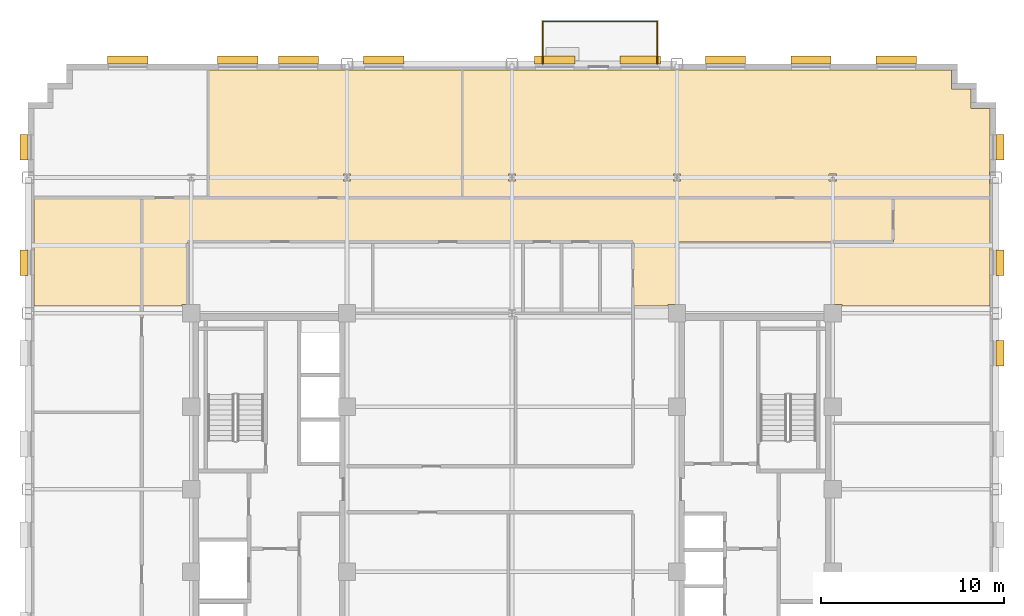
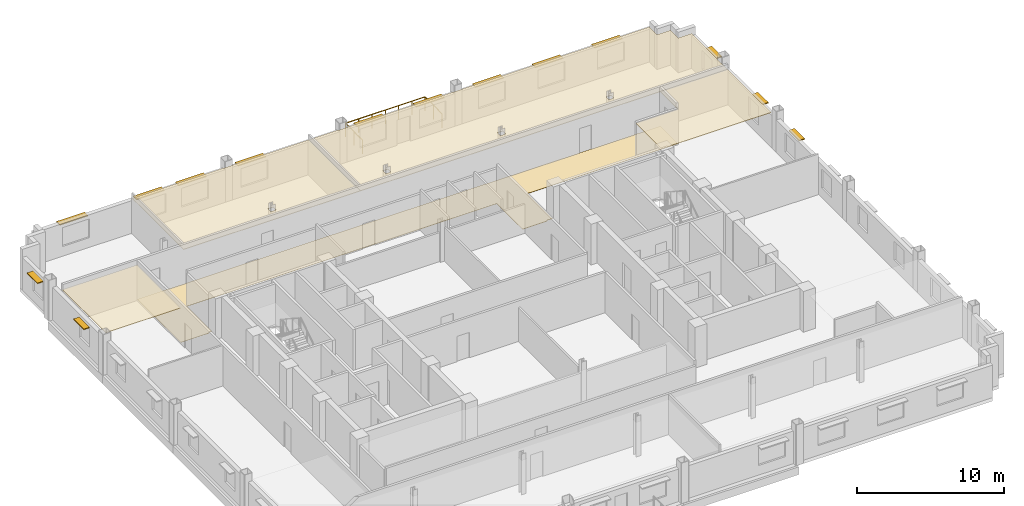
# One storey, part 14 of 14: 14 shading devices, 5 coverings, 1 railing.
"""IFC4 building model written with IfcOpenShell, lengths in metres."""

from ifc_helpers import new_model, si_unit, direction, frame, origin, origin_2d, place, context, subcontext, project, spatial, polyline, rectangle, circle, outline, extrude, source, transform, mapped, material, layer, layer_set, type_object, type_shapes, element, save


model = new_model("IFC4")

# Units and contexts
model_context = context("Model", 3, precision=1e-05, world=origin(), true_north=direction((0.0, 1.0)))
body_context = subcontext(model_context, "Body", "Model", "MODEL_VIEW")
ifc_project = project(units=[si_unit("LENGTHUNIT", "METRE"), si_unit("AREAUNIT", "SQUARE_METRE"), si_unit("VOLUMEUNIT", "CUBIC_METRE"), si_unit("PLANEANGLEUNIT", "RADIAN"), si_unit("MASSUNIT", "GRAM", prefix="KILO")], contexts=[model_context])

# Site, building, storey
site_placement = place(None, origin())
site = spatial("IfcSite", under=ifc_project, at=site_placement, CompositionType="ELEMENT")
building_placement = place(site_placement, origin())
building = spatial("IfcBuilding", under=site, at=building_placement, Name="Nuvemarco Arch Tower", CompositionType="ELEMENT")
storey_placement = place(building_placement, frame((0.0, 0.0, 138.449951171875)))
storey = spatial("IfcBuildingStorey", under=building, at=storey_placement, Name="L36", CompositionType="ELEMENT", Elevation=138.449951171875)

# Coverings
ifc_material_1 = material(Name="Mineral acoustic ceiling tile")
ifc_layer_1 = layer(ifc_material_1, 0.0400390625, Name="COV-ACOUSTIC-CLG")
ifc_layer_set_1 = layer_set([ifc_layer_1], Name="Mineral acoustic ceiling tile")
covering_type_1 = type_object("IfcCoveringType", Name="COV-ACOUSTIC-CLG", PredefinedType="CEILING", material=ifc_layer_set_1)
covering_1_placement = place(storey_placement, frame((0.0, 0.0, 2.85009765625)))
element("IfcCovering", 1, at=covering_1_placement, inside=storey, type_object=covering_type_1, Name="L36 suspended acoustic ceiling 2", PredefinedType="CEILING", context=body_context, shape_type="SweptSolid", body=[
    extrude(outline(polyline([(26.080078125, 20.780029296875), (26.080078125, 17.340087890625), (26.06005859375, 17.340087890625), (26.06005859375, 16.659912109375), (26.080078125, 16.659912109375), (26.080078125, 15.89990234375), (20.800048828125, 15.89990234375), (9.0, 15.89990234375), (6.60009765625, 15.89990234375), (-2.7099609375, 15.89990234375), (-2.7099609375, 22.8798828125), (-0.340087890625, 22.8798828125), (-0.340087890625, 22.860107421875), (0.340087890625, 22.860107421875), (0.340087890625, 22.8798828125), (8.659912109375, 22.8798828125), (8.659912109375, 22.860107421875), (9.340087890625, 22.860107421875), (9.340087890625, 22.8798828125), (23.97998046875, 22.8798828125), (23.97998046875, 21.830078125), (25.030029296875, 21.830078125), (25.030029296875, 20.780029296875), (26.080078125, 20.780029296875)]), holes=[polyline([(0.195068359375, 16.804931640625), (0.195068359375, 17.195068359375), (-0.195068359375, 17.195068359375), (-0.195068359375, 16.804931640625), (0.195068359375, 16.804931640625)]), polyline([(9.195068359375, 17.195068359375), (8.804931640625, 17.195068359375), (8.804931640625, 16.804931640625), (9.195068359375, 16.804931640625), (9.195068359375, 17.195068359375)]), polyline([(17.695068359375, 16.804931640625), (17.695068359375, 17.195068359375), (17.304931640625, 17.195068359375), (17.304931640625, 16.804931640625), (17.695068359375, 16.804931640625)])]), origin(), (0.0, 0.0, 1.0), 0.0400390625),
])
covering_2_placement = place(storey_placement, frame((0.0, 0.0, 2.85009765625)))
element("IfcCovering", 2, at=covering_2_placement, inside=storey, type_object=covering_type_1, Name="L36 suspended acoustic ceiling 6", PredefinedType="CEILING", context=body_context, shape_type="SweptSolid", body=[
    extrude(outline(polyline([(17.989990234375, 10.090087890625), (17.5, 10.090087890625), (17.5, 13.5), (20.800048828125, 13.5), (20.800048828125, 15.89990234375), (26.080078125, 15.89990234375), (26.080078125, 10.0), (17.989990234375, 10.0), (17.989990234375, 10.090087890625)])), origin(), (0.0, 0.0, 1.0), 0.0400390625),
])
covering_3_placement = place(storey_placement, frame((0.0, 0.0, 2.85009765625)))
element("IfcCovering", 3, at=covering_3_placement, inside=storey, type_object=covering_type_1, Name="L36 suspended acoustic ceiling 7", PredefinedType="CEILING", context=body_context, shape_type="SweptSolid", body=[
    extrude(outline(polyline([(-2.7099609375, 15.89990234375), (-16.570068359375, 15.89990234375), (-16.570068359375, 22.8798828125), (-9.340087890625, 22.8798828125), (-9.340087890625, 22.860107421875), (-8.659912109375, 22.860107421875), (-8.659912109375, 22.8798828125), (-2.7099609375, 22.8798828125), (-2.7099609375, 15.89990234375)]), holes=[polyline([(-8.804931640625, 16.804931640625), (-8.804931640625, 17.195068359375), (-9.195068359375, 17.195068359375), (-9.195068359375, 16.804931640625), (-8.804931640625, 16.804931640625)])]), origin(), (0.0, 0.0, 1.0), 0.0400390625),
])
covering_4_placement = place(storey_placement, frame((0.0, 0.0, 2.85009765625)))
element("IfcCovering", 4, at=covering_4_placement, inside=storey, type_object=covering_type_1, Name="L36 suspended acoustic ceiling 9", PredefinedType="CEILING", context=body_context, shape_type="SweptSolid", body=[
    extrude(outline(polyline([(-20.199951171875, 15.89990234375), (-20.199951171875, 13.5), (-20.199951171875, 10.0), (-26.080078125, 10.0), (-26.080078125, 15.89990234375), (-20.199951171875, 15.89990234375)])), origin(), (0.0, 0.0, 1.0), 0.0400390625),
])
ifc_material_2 = material(Name="Polished granite terrazzostone flooring", Category="masonry")
ifc_layer_2 = layer(ifc_material_2, 0.02001953125, Name="COV-LOBBY-FLR")
ifc_layer_set_2 = layer_set([ifc_layer_2], Name="Polished granite terrazzostone flooring")
covering_type_2 = type_object("IfcCoveringType", Name="COV-LOBBY-FLR", PredefinedType="FLOORING", material=ifc_layer_set_2)
covering_5_placement = place(storey_placement, origin())
element("IfcCovering", 5, at=covering_5_placement, inside=storey, type_object=covering_type_2, Name="L36 polished terrazzo lobby flooring", PredefinedType="FLOORING", context=body_context, shape_type="SweptSolid", body=[
    extrude(outline(polyline([(-20.199951171875, 13.5), (-20.199951171875, 15.89990234375), (-17.699951171875, 15.89990234375), (6.60009765625, 15.89990234375), (9.0, 15.89990234375), (20.800048828125, 15.89990234375), (20.800048828125, 13.5), (9.0, 13.5), (9.0, 10.090087890625), (8.510009765625, 10.090087890625), (8.510009765625, 10.0), (6.60009765625, 10.0), (6.60009765625, 13.5), (-17.699951171875, 13.5), (-17.699951171875, 10.090087890625), (-17.989990234375, 10.090087890625), (-17.989990234375, 10.0), (-20.199951171875, 10.0), (-20.199951171875, 13.5)])), origin(), (0.0, 0.0, 1.0), 0.02001953125),
])

# Railing
ifc_material_3 = material(Name="Dark anodised balustrade steel S355", Category="steel")
railing_type = type_object("IfcRailingType", Name="RL-TERR-GUARD", PredefinedType="BALUSTRADE", material=ifc_material_3)
railing_placement = place(storey_placement, frame((1.679931640625, 23.199951171875, 0.0)))
element("IfcRailing", 6, at=railing_placement, inside=storey, type_object=railing_type, Name="L36 spiral terrace perimeter balustrade guard", PredefinedType="BALUSTRADE", context=body_context, shape_type="SweptSolid", body=[
    extrude(circle(Radius=0.02392578125, at=origin_2d()), frame((0.0, 0.0, 1.1259765625), z_axis=(0.0, 1.0, 0.0), x_axis=(-1.0, 0.0, 0.0)), (0.0, 0.0, 1.0), 2.320068359375),
    extrude(circle(Radius=0.02392578125, at=origin_2d()), frame((0.0, 2.320068359375, 1.1259765625), z_axis=(1.0, 0.0, 0.0), x_axis=(0.0, 1.0, 0.0)), (0.0, 0.0, 1.0), 6.239990234375),
    extrude(circle(Radius=0.02392578125, at=origin_2d()), frame((6.239990234375, 2.320068359375, 1.1259765625), z_axis=(0.0, -1.0, 0.0), x_axis=(1.0, 0.0, 0.0)), (0.0, 0.0, 1.0), 2.320068359375),
    extrude(circle(Radius=0.02099609375, at=origin_2d()), origin(), (0.0, 0.0, 1.0), 1.101806640625),
    extrude(circle(Radius=0.02099609375, at=origin_2d()), frame((0.0, 1.16015625, 0.0)), (0.0, 0.0, 1.0), 1.101806640625),
    extrude(circle(Radius=0.02099609375, at=origin_2d()), frame((0.0, 2.320068359375, 0.0)), (0.0, 0.0, 1.0), 1.101806640625),
    extrude(circle(Radius=0.02099609375, at=origin_2d()), frame((1.0400390625, 2.320068359375, 0.0)), (0.0, 0.0, 1.0), 1.101806640625),
    extrude(circle(Radius=0.02099609375, at=origin_2d()), frame((2.080078125, 2.320068359375, 0.0)), (0.0, 0.0, 1.0), 1.101806640625),
    extrude(circle(Radius=0.02099609375, at=origin_2d()), frame((3.1201171875, 2.320068359375, 0.0)), (0.0, 0.0, 1.0), 1.101806640625),
    extrude(circle(Radius=0.02099609375, at=origin_2d()), frame((4.159912109375, 2.320068359375, 0.0)), (0.0, 0.0, 1.0), 1.101806640625),
    extrude(circle(Radius=0.02099609375, at=origin_2d()), frame((5.199951171875, 2.320068359375, 0.0)), (0.0, 0.0, 1.0), 1.101806640625),
    extrude(circle(Radius=0.02099609375, at=origin_2d()), frame((6.239990234375, 2.320068359375, 0.0)), (0.0, 0.0, 1.0), 1.101806640625),
    extrude(circle(Radius=0.02099609375, at=origin_2d()), frame((6.239990234375, 1.16015625, 0.0)), (0.0, 0.0, 1.0), 1.101806640625),
    extrude(circle(Radius=0.02099609375, at=origin_2d()), frame((6.239990234375, 0.0, 0.0)), (0.0, 0.0, 1.0), 1.101806640625),
])

# Shading devices
ifc_material_4 = material(Name="Anodised aluminium 6063-T6", Category="aluminium")
shading_device_type_1 = type_object("IfcShadingDeviceType", Name="SHD-BRISE-SOLEIL", PredefinedType="USERDEFINED", material=ifc_material_4)
shared_shape_1 = source(origin(), body_context, "Body", "SweptSolid", [
    extrude(rectangle(XDim=2.199951171875, YDim=0.449951171875, at=origin_2d()), origin(), (0.0, 0.0, 1.0), 0.080078125),
])
type_shapes(shading_device_type_1, [shared_shape_1])
for number, where, z_axis, x_axis, name in (
    (7, (-20.969970703125, 23.4150390625, 2.364990234375), (0.0, 0.0, 1.0), (1.0, 0.0, 0.0), "L36 horizontal brise-soleil sunshade"),
    (8, (-14.9599609375, 23.4150390625, 2.364990234375), (0.0, 0.0, 1.0), (1.0, 0.0, 0.0), "L36 horizontal brise-soleil sunshade"),
    (9, (-11.64990234375, 23.4150390625, 2.364990234375), (0.0, 0.0, 1.0), (1.0, 0.0, 0.0), "L36 horizontal brise-soleil sunshade"),
    (10, (-6.989990234375, 23.4150390625, 2.364990234375), (0.0, 0.0, 1.0), (1.0, 0.0, 0.0), "L36 horizontal brise-soleil sunshade"),
    (11, (2.330078125, 23.4150390625, 2.364990234375), (0.0, 0.0, 1.0), (1.0, 0.0, 0.0), "L36 horizontal brise-soleil sunshade"),
    (12, (6.989990234375, 23.4150390625, 2.364990234375), (0.0, 0.0, 1.0), (1.0, 0.0, 0.0), "L36 horizontal brise-soleil sunshade"),
    (13, (11.64990234375, 23.4150390625, 2.364990234375), (0.0, 0.0, 1.0), (1.0, 0.0, 0.0), "L36 horizontal brise-soleil sunshade"),
    (14, (16.31005859375, 23.4150390625, 2.364990234375), (0.0, 0.0, 1.0), (1.0, 0.0, 0.0), "L36 horizontal brise-soleil sunshade"),
    (15, (20.969970703125, 23.4150390625, 2.364990234375), (0.0, 0.0, 1.0), (1.0, 0.0, 0.0), "L36 horizontal brise-soleil sunshade"),
):
    element("IfcShadingDevice", number, at=place(storey_placement, frame(where, z_axis=z_axis, x_axis=x_axis)), inside=storey, type_object=shading_device_type_1, Name=name, ObjectType="SUNSHADE", PredefinedType="USERDEFINED", context=body_context, shape_type="MappedRepresentation", body=[
        mapped(shared_shape_1, transform((0.0, 0.0, 0.0), scale=1.0)),
    ])
shading_device_type_2 = type_object("IfcShadingDeviceType", Name="SHD-BRISE-NARROW", PredefinedType="USERDEFINED", material=ifc_material_4)
shared_shape_2 = source(origin(), body_context, "Body", "SweptSolid", [
    extrude(rectangle(XDim=1.39990234375, YDim=0.449951171875, at=origin_2d()), origin(), (0.0, 0.0, 1.0), 0.080078125),
])
type_shapes(shading_device_type_2, [shared_shape_2])
for number, where, z_axis, x_axis, name in (
    (16, (26.614990234375, 7.4189453125, 2.364990234375), (0.0, 0.0, 1.0), (0.0, 1.0, 0.0), "L36 horizontal brise-soleil sunshade"),
    (17, (26.614990234375, 12.364990234375, 2.364990234375), (0.0, 0.0, 1.0), (0.0, 1.0, 0.0), "L36 horizontal brise-soleil sunshade"),
    (18, (26.614990234375, 18.660888671875, 2.364990234375), (0.0, 0.0, 1.0), (0.0, 1.0, 0.0), "L36 horizontal brise-soleil sunshade"),
    (19, (-26.614990234375, 12.364990234375, 2.364990234375), (0.0, 0.0, 1.0), (0.0, 1.0, 0.0), "L36 horizontal brise-soleil sunshade"),
    (20, (-26.614990234375, 18.660888671875, 2.364990234375), (0.0, 0.0, 1.0), (0.0, 1.0, 0.0), "L36 horizontal brise-soleil sunshade"),
):
    element("IfcShadingDevice", number, at=place(storey_placement, frame(where, z_axis=z_axis, x_axis=x_axis)), inside=storey, type_object=shading_device_type_2, Name=name, ObjectType="SUNSHADE", PredefinedType="USERDEFINED", context=body_context, shape_type="MappedRepresentation", body=[
        mapped(shared_shape_2, transform((0.0, 0.0, 0.0), scale=1.0)),
    ])

save(model, "model.ifc")
